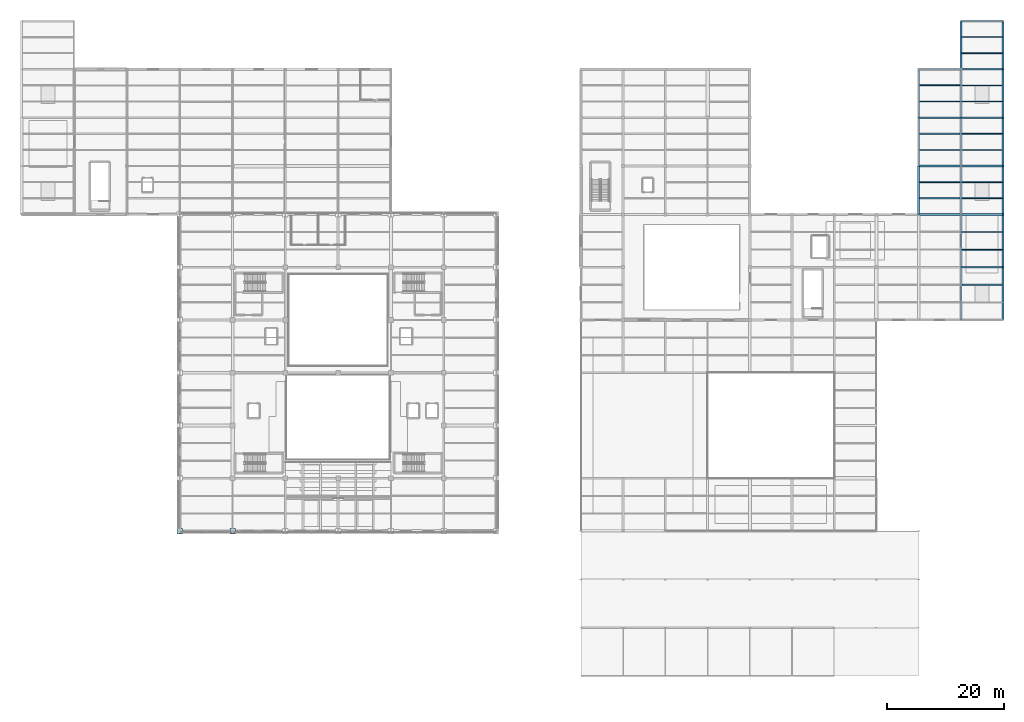
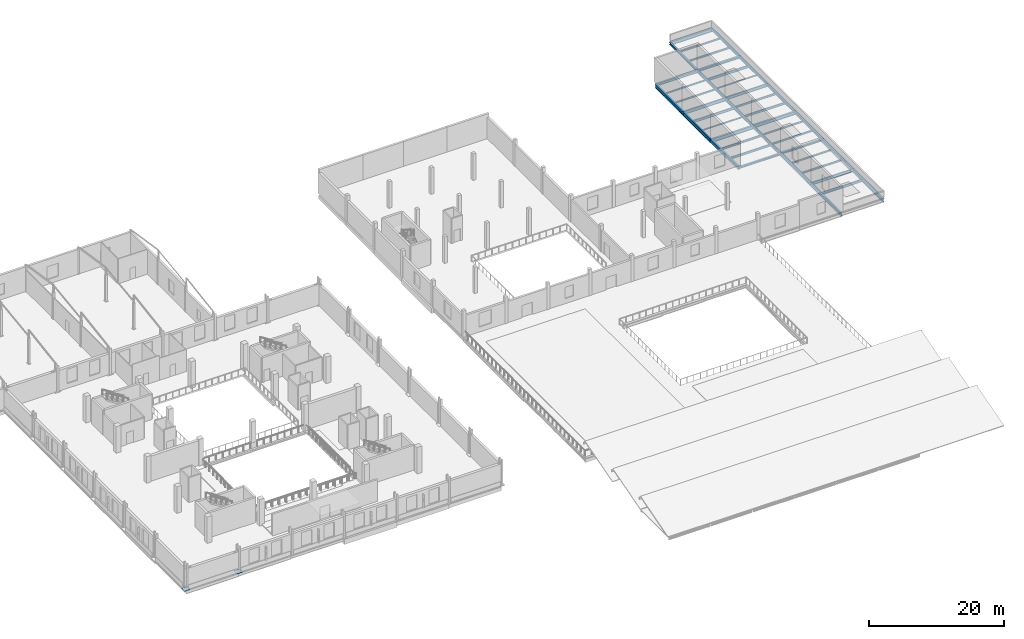
# One storey, part 20 of 54: 42 beams, 2 plates.
"""IFC4 building model written with IfcOpenShell, lengths in metres."""

from ifc_helpers import new_model, si_unit, direction, frame, origin, origin_2d, place, context, subcontext, project, spatial, rectangle, i_section, extrude, material, layer, layer_set, material_profile, profile_set, type_object, element, save


model = new_model("IFC4")

# Units and contexts
model_context = context("Model", 3, precision=1e-05, world=origin(), true_north=direction((0.0, 1.0)))
body_context = subcontext(model_context, "Body", "Model", "MODEL_VIEW")
ifc_project = project(units=[si_unit("LENGTHUNIT", "METRE"), si_unit("AREAUNIT", "SQUARE_METRE"), si_unit("VOLUMEUNIT", "CUBIC_METRE"), si_unit("PLANEANGLEUNIT", "RADIAN"), si_unit("MASSUNIT", "GRAM", prefix="KILO")], contexts=[model_context])

# Site, building, storey
site_placement = place(None, origin())
site = spatial("IfcSite", under=ifc_project, at=site_placement, CompositionType="ELEMENT")
building_placement = place(site_placement, origin())
building = spatial("IfcBuilding", under=site, at=building_placement, Name="Sundgate Opera House", CompositionType="ELEMENT")
storey_placement = place(building_placement, frame((0.0, 0.0, 16.800048828125)))
storey = spatial("IfcBuildingStorey", under=building, at=storey_placement, Name="L03", CompositionType="ELEMENT", Elevation=16.800048828125)

# Beams
ifc_material_1 = material(Name="Steel S355J2", Category="steel")
ifc_material_profile_1 = material_profile(ifc_material_1, i_section(OverallWidth=0.300048828125, OverallDepth=0.330078125, WebThickness=0.009521484375, FlangeThickness=0.0166015625, at=origin_2d()), Name="HEA 340")
ifc_profile_set_1 = profile_set([ifc_material_profile_1], Name="Steel S355J2")
beam_type_1 = type_object("IfcBeamType", Name="BM-GR-HEA340", PredefinedType="BEAM", material=ifc_profile_set_1)
beam_1_placement = place(storey_placement, frame((167.39990234375, 111.75, -0.39501953125), z_axis=(0.0, 1.0, 0.0), x_axis=(-1.0, 0.0, 0.0)))
element("IfcBeam", 1, at=beam_1_placement, inside=storey, type_object=beam_type_1, Name="L03 Primary N-S Girder B2578", PredefinedType="BEAM", context=body_context, shape_type="SweptSolid", body=[
    extrude(i_section(OverallWidth=0.300048828125, OverallDepth=0.330078125, WebThickness=0.009521484375, FlangeThickness=0.0166015625, at=origin_2d()), origin(), (0.0, 0.0, 1.0), 8.25),
])
beam_2_placement = place(storey_placement, frame((160.199951171875, 87.0, -0.39501953125), z_axis=(1.0, 0.0, 0.0), x_axis=(0.0, 1.0, 0.0)))
element("IfcBeam", 2, at=beam_2_placement, inside=storey, type_object=beam_type_1, Name="L03 Primary E-W Girder B2666", PredefinedType="BEAM", context=body_context, shape_type="SweptSolid", body=[
    extrude(i_section(OverallWidth=0.300048828125, OverallDepth=0.330078125, WebThickness=0.009521484375, FlangeThickness=0.0166015625, at=origin_2d()), origin(), (0.0, 0.0, 1.0), 7.199951171875),
])
ifc_material_2 = material(Name="Steel S355J2", Category="steel")
ifc_material_profile_2 = material_profile(ifc_material_2, i_section(OverallWidth=0.300048828125, OverallDepth=0.35009765625, WebThickness=0.010009765625, FlangeThickness=0.017578125, at=origin_2d()), Name="HEA 360")
ifc_profile_set_2 = profile_set([ifc_material_profile_2], Name="Steel S355J2")
beam_type_2 = type_object("IfcBeamType", Name="BM-GR-HEA360", PredefinedType="BEAM", material=ifc_profile_set_2)
beam_3_placement = place(storey_placement, frame((167.39990234375, 103.5, -0.405029296875), z_axis=(0.0, 1.0, 0.0), x_axis=(-1.0, 0.0, 0.0)))
element("IfcBeam", 3, at=beam_3_placement, inside=storey, type_object=beam_type_2, Name="L03 Primary N-S Girder B2577", PredefinedType="BEAM", context=body_context, shape_type="SweptSolid", body=[
    extrude(i_section(OverallWidth=0.300048828125, OverallDepth=0.35009765625, WebThickness=0.010009765625, FlangeThickness=0.017578125, at=origin_2d()), origin(), (0.0, 0.0, 1.0), 8.25),
])
beam_4_placement = place(storey_placement, frame((153.0, 87.0, -0.455078125), z_axis=(1.0, 0.0, 0.0), x_axis=(0.0, 1.0, 0.0)))
element("IfcBeam", 4, at=beam_4_placement, inside=storey, type_object=beam_type_2, Name="L03 Primary E-W Girder B2665", PredefinedType="BEAM", context=body_context, shape_type="SweptSolid", body=[
    extrude(i_section(OverallWidth=0.300048828125, OverallDepth=0.35009765625, WebThickness=0.010009765625, FlangeThickness=0.017578125, at=origin_2d()), origin(), (0.0, 0.0, 1.0), 7.199951171875),
])
ifc_material_3 = material(Name="Steel S355J2", Category="steel")
ifc_material_profile_3 = material_profile(ifc_material_3, i_section(OverallWidth=0.300048828125, OverallDepth=0.389892578125, WebThickness=0.010986328125, FlangeThickness=0.01904296875, at=origin_2d()), Name="HEA 400")
ifc_profile_set_3 = profile_set([ifc_material_profile_3], Name="Steel S355J2")
beam_type_3 = type_object("IfcBeamType", Name="BM-GR-HEA400", PredefinedType="BEAM", material=ifc_profile_set_3)
beam_5_placement = place(storey_placement, frame((167.39990234375, 95.25, -0.425048828125), z_axis=(0.0, 1.0, 0.0), x_axis=(-1.0, 0.0, 0.0)))
element("IfcBeam", 5, at=beam_5_placement, inside=storey, type_object=beam_type_3, Name="L03 Primary N-S Girder B2576", PredefinedType="BEAM", context=body_context, shape_type="SweptSolid", body=[
    extrude(i_section(OverallWidth=0.300048828125, OverallDepth=0.389892578125, WebThickness=0.010986328125, FlangeThickness=0.01904296875, at=origin_2d()), origin(), (0.0, 0.0, 1.0), 8.25),
])
ifc_material_4 = material(Name="Steel S355J2", Category="steel")
ifc_material_profile_4 = material_profile(ifc_material_4, i_section(OverallWidth=0.300048828125, OverallDepth=0.43994140625, WebThickness=0.011474609375, FlangeThickness=0.02099609375, at=origin_2d()), Name="HEA 450")
ifc_profile_set_4 = profile_set([ifc_material_profile_4], Name="Steel S355J2")
beam_type_4 = type_object("IfcBeamType", Name="BM-GR-HEA450", PredefinedType="BEAM", material=ifc_profile_set_4)
beam_6_placement = place(storey_placement, frame((167.39990234375, 87.0, -0.449951171875), z_axis=(0.0, 1.0, 0.0), x_axis=(-1.0, 0.0, 0.0)))
element("IfcBeam", 6, at=beam_6_placement, inside=storey, type_object=beam_type_4, Name="L03 Primary N-S Girder B2575", PredefinedType="BEAM", context=body_context, shape_type="SweptSolid", body=[
    extrude(i_section(OverallWidth=0.300048828125, OverallDepth=0.43994140625, WebThickness=0.011474609375, FlangeThickness=0.02099609375, at=origin_2d()), origin(), (0.0, 0.0, 1.0), 8.25),
])
ifc_material_5 = material(Name="Steel S355J2", Category="steel")
ifc_material_profile_5 = material_profile(ifc_material_5, i_section(OverallWidth=0.300048828125, OverallDepth=0.489990234375, WebThickness=0.011962890625, FlangeThickness=0.02294921875, at=origin_2d()), Name="HEA 500")
ifc_profile_set_5 = profile_set([ifc_material_profile_5], Name="Steel S355J2")
beam_type_5 = type_object("IfcBeamType", Name="BM-GR-HEA500", PredefinedType="BEAM", material=ifc_profile_set_5)
beam_7_placement = place(storey_placement, frame((167.39990234375, 78.0, -0.47509765625), z_axis=(0.0, 1.0, 0.0), x_axis=(-1.0, 0.0, 0.0)))
element("IfcBeam", 7, at=beam_7_placement, inside=storey, type_object=beam_type_5, Name="L03 Primary N-S Girder B2574", PredefinedType="BEAM", context=body_context, shape_type="SweptSolid", body=[
    extrude(i_section(OverallWidth=0.300048828125, OverallDepth=0.489990234375, WebThickness=0.011962890625, FlangeThickness=0.02294921875, at=origin_2d()), origin(), (0.0, 0.0, 1.0), 9.0),
])
ifc_material_6 = material(Name="Steel S355J2", Category="steel")
ifc_material_profile_6 = material_profile(ifc_material_6, i_section(OverallWidth=0.300048828125, OverallDepth=0.590087890625, WebThickness=0.012939453125, FlangeThickness=0.02490234375, at=origin_2d()), Name="HEA 600")
ifc_profile_set_6 = profile_set([ifc_material_profile_6], Name="Steel S355J2")
beam_type_6 = type_object("IfcBeamType", Name="BM-GR-HEA600", PredefinedType="BEAM", material=ifc_profile_set_6)
beam_8_placement = place(storey_placement, frame((167.39990234375, 69.0, -0.525146484375), z_axis=(0.0, 1.0, 0.0), x_axis=(-1.0, 0.0, 0.0)))
element("IfcBeam", 8, at=beam_8_placement, inside=storey, type_object=beam_type_6, Name="L03 Primary N-S Girder B2573", PredefinedType="BEAM", context=body_context, shape_type="SweptSolid", body=[
    extrude(i_section(OverallWidth=0.300048828125, OverallDepth=0.590087890625, WebThickness=0.012939453125, FlangeThickness=0.02490234375, at=origin_2d()), origin(), (0.0, 0.0, 1.0), 9.0),
])
beam_9_placement = place(storey_placement, frame((160.199951171875, 120.0, -0.525146484375), z_axis=(1.0, 0.0, 0.0), x_axis=(0.0, 1.0, 0.0)))
element("IfcBeam", 9, at=beam_9_placement, inside=storey, type_object=beam_type_6, Name="L03 Primary E-W Girder B2705", PredefinedType="BEAM", context=body_context, shape_type="SweptSolid", body=[
    extrude(i_section(OverallWidth=0.300048828125, OverallDepth=0.590087890625, WebThickness=0.012939453125, FlangeThickness=0.02490234375, at=origin_2d()), origin(), (0.0, 0.0, 1.0), 7.199951171875),
])
ifc_material_7 = material(Name="Steel S355J2", Category="steel")
ifc_material_profile_7 = material_profile(ifc_material_7, i_section(OverallWidth=0.300048828125, OverallDepth=0.360107421875, WebThickness=0.012451171875, FlangeThickness=0.0224609375, at=origin_2d()), Name="HEB 360")
ifc_profile_set_7 = profile_set([ifc_material_profile_7], Name="Steel S355J2")
beam_type_7 = type_object("IfcBeamType", Name="BM-GR-HEB360", PredefinedType="BEAM", material=ifc_profile_set_7)
beam_10_placement = place(storey_placement, frame((160.199951171875, 111.75, -0.41015625), z_axis=(0.0, 1.0, 0.0), x_axis=(-1.0, 0.0, 0.0)))
element("IfcBeam", 10, at=beam_10_placement, inside=storey, type_object=beam_type_7, Name="L03 Primary N-S Girder B2572", PredefinedType="BEAM", context=body_context, shape_type="SweptSolid", body=[
    extrude(i_section(OverallWidth=0.300048828125, OverallDepth=0.360107421875, WebThickness=0.012451171875, FlangeThickness=0.0224609375, at=origin_2d()), origin(), (0.0, 0.0, 1.0), 8.25),
])
ifc_material_8 = material(Name="Steel S355J2", Category="steel")
ifc_material_profile_8 = material_profile(ifc_material_8, i_section(OverallWidth=0.300048828125, OverallDepth=0.39990234375, WebThickness=0.013427734375, FlangeThickness=0.02392578125, at=origin_2d()), Name="HEB 400")
ifc_profile_set_8 = profile_set([ifc_material_profile_8], Name="Steel S355J2")
beam_type_8 = type_object("IfcBeamType", Name="BM-GR-HEB400", PredefinedType="BEAM", material=ifc_profile_set_8)
beam_11_placement = place(storey_placement, frame((160.199951171875, 103.5, -0.47998046875), z_axis=(0.0, 1.0, 0.0), x_axis=(-1.0, 0.0, 0.0)))
element("IfcBeam", 11, at=beam_11_placement, inside=storey, type_object=beam_type_8, Name="L03 Primary N-S Girder B2571", PredefinedType="BEAM", context=body_context, shape_type="SweptSolid", body=[
    extrude(i_section(OverallWidth=0.300048828125, OverallDepth=0.39990234375, WebThickness=0.013427734375, FlangeThickness=0.02392578125, at=origin_2d()), origin(), (0.0, 0.0, 1.0), 8.25),
])
beam_12_placement = place(storey_placement, frame((160.199951171875, 111.75, -0.429931640625), z_axis=(1.0, 0.0, 0.0), x_axis=(0.0, 1.0, 0.0)))
element("IfcBeam", 12, at=beam_12_placement, inside=storey, type_object=beam_type_8, Name="L03 Primary E-W Girder B2703", PredefinedType="BEAM", context=body_context, shape_type="SweptSolid", body=[
    extrude(i_section(OverallWidth=0.300048828125, OverallDepth=0.39990234375, WebThickness=0.013427734375, FlangeThickness=0.02392578125, at=origin_2d()), origin(), (0.0, 0.0, 1.0), 7.199951171875),
])
ifc_material_9 = material(Name="Steel S355J2", Category="steel")
ifc_material_profile_9 = material_profile(ifc_material_9, i_section(OverallWidth=0.300048828125, OverallDepth=0.449951171875, WebThickness=0.013916015625, FlangeThickness=0.02587890625, at=origin_2d()), Name="HEB 450")
ifc_profile_set_9 = profile_set([ifc_material_profile_9], Name="Steel S355J2")
beam_type_9 = type_object("IfcBeamType", Name="BM-GR-HEB450", PredefinedType="BEAM", material=ifc_profile_set_9)
beam_13_placement = place(storey_placement, frame((160.199951171875, 95.25, -0.505126953125), z_axis=(0.0, 1.0, 0.0), x_axis=(-1.0, 0.0, 0.0)))
element("IfcBeam", 13, at=beam_13_placement, inside=storey, type_object=beam_type_9, Name="L03 Primary N-S Girder B2570", PredefinedType="BEAM", context=body_context, shape_type="SweptSolid", body=[
    extrude(i_section(OverallWidth=0.300048828125, OverallDepth=0.449951171875, WebThickness=0.013916015625, FlangeThickness=0.02587890625, at=origin_2d()), origin(), (0.0, 0.0, 1.0), 8.25),
])
beam_14_placement = place(storey_placement, frame((153.0, 111.75, -0.505126953125), z_axis=(1.0, 0.0, 0.0), x_axis=(0.0, 1.0, 0.0)))
element("IfcBeam", 14, at=beam_14_placement, inside=storey, type_object=beam_type_9, Name="L03 Primary E-W Girder B2702", PredefinedType="BEAM", context=body_context, shape_type="SweptSolid", body=[
    extrude(i_section(OverallWidth=0.300048828125, OverallDepth=0.449951171875, WebThickness=0.013916015625, FlangeThickness=0.02587890625, at=origin_2d()), origin(), (0.0, 0.0, 1.0), 7.199951171875),
])
ifc_material_10 = material(Name="Steel S355J2", Category="steel")
ifc_material_profile_10 = material_profile(ifc_material_10, i_section(OverallWidth=0.300048828125, OverallDepth=0.5, WebThickness=0.014404296875, FlangeThickness=0.028076171875, at=origin_2d()), Name="HEB 500")
ifc_profile_set_10 = profile_set([ifc_material_profile_10], Name="Steel S355J2")
beam_type_10 = type_object("IfcBeamType", Name="BM-GR-HEB500", PredefinedType="BEAM", material=ifc_profile_set_10)
beam_15_placement = place(storey_placement, frame((160.199951171875, 87.0, -0.530029296875), z_axis=(0.0, 1.0, 0.0), x_axis=(-1.0, 0.0, 0.0)))
element("IfcBeam", 15, at=beam_15_placement, inside=storey, type_object=beam_type_10, Name="L03 Primary N-S Girder B2569", PredefinedType="BEAM", context=body_context, shape_type="SweptSolid", body=[
    extrude(i_section(OverallWidth=0.300048828125, OverallDepth=0.5, WebThickness=0.014404296875, FlangeThickness=0.028076171875, at=origin_2d()), origin(), (0.0, 0.0, 1.0), 8.25),
])
ifc_material_11 = material(Name="Steel S355J2", Category="steel")
ifc_material_profile_11 = material_profile(ifc_material_11, i_section(OverallWidth=0.300048828125, OverallDepth=0.550048828125, WebThickness=0.014892578125, FlangeThickness=0.029052734375, at=origin_2d()), Name="HEB 550")
ifc_profile_set_11 = profile_set([ifc_material_profile_11], Name="Steel S355J2")
beam_type_11 = type_object("IfcBeamType", Name="BM-GR-HEB550", PredefinedType="BEAM", material=ifc_profile_set_11)
beam_16_placement = place(storey_placement, frame((160.199951171875, 78.0, -0.554931640625), z_axis=(0.0, 1.0, 0.0), x_axis=(-1.0, 0.0, 0.0)))
element("IfcBeam", 16, at=beam_16_placement, inside=storey, type_object=beam_type_11, Name="L03 Primary N-S Girder B2568", PredefinedType="BEAM", context=body_context, shape_type="SweptSolid", body=[
    extrude(i_section(OverallWidth=0.300048828125, OverallDepth=0.550048828125, WebThickness=0.014892578125, FlangeThickness=0.029052734375, at=origin_2d()), origin(), (0.0, 0.0, 1.0), 9.0),
])
ifc_material_12 = material(Name="Steel S355J2", Category="steel")
ifc_material_profile_12 = material_profile(ifc_material_12, i_section(OverallWidth=0.300048828125, OverallDepth=0.60009765625, WebThickness=0.015380859375, FlangeThickness=0.030029296875, at=origin_2d()), Name="HEB 600")
ifc_profile_set_12 = profile_set([ifc_material_profile_12], Name="Steel S355J2")
beam_type_12 = type_object("IfcBeamType", Name="BM-GR-HEB600", PredefinedType="BEAM", material=ifc_profile_set_12)
beam_17_placement = place(storey_placement, frame((160.199951171875, 69.0, -0.580078125), z_axis=(0.0, 1.0, 0.0), x_axis=(-1.0, 0.0, 0.0)))
element("IfcBeam", 17, at=beam_17_placement, inside=storey, type_object=beam_type_12, Name="L03 Primary N-S Girder B2567", PredefinedType="BEAM", context=body_context, shape_type="SweptSolid", body=[
    extrude(i_section(OverallWidth=0.300048828125, OverallDepth=0.60009765625, WebThickness=0.015380859375, FlangeThickness=0.030029296875, at=origin_2d()), origin(), (0.0, 0.0, 1.0), 9.0),
])
beam_18_placement = place(storey_placement, frame((160.199951171875, 95.25, -0.530029296875), z_axis=(1.0, 0.0, 0.0), x_axis=(0.0, 1.0, 0.0)))
element("IfcBeam", 18, at=beam_18_placement, inside=storey, type_object=beam_type_12, Name="L03 Primary E-W Girder B2677", PredefinedType="BEAM", context=body_context, shape_type="SweptSolid", body=[
    extrude(i_section(OverallWidth=0.300048828125, OverallDepth=0.60009765625, WebThickness=0.015380859375, FlangeThickness=0.030029296875, at=origin_2d()), origin(), (0.0, 0.0, 1.0), 7.199951171875),
])
ifc_material_13 = material(Name="Steel S355J2", Category="steel")
ifc_material_profile_13 = material_profile(ifc_material_13, i_section(OverallWidth=0.300048828125, OverallDepth=0.64990234375, WebThickness=0.01611328125, FlangeThickness=0.031005859375, at=origin_2d()), Name="HEB 650")
ifc_profile_set_13 = profile_set([ifc_material_profile_13], Name="Steel S355J2")
beam_type_13 = type_object("IfcBeamType", Name="BM-GR-HEB650", PredefinedType="BEAM", material=ifc_profile_set_13)
beam_19_placement = place(storey_placement, frame((153.0, 103.5, -0.60498046875), z_axis=(0.0, 1.0, 0.0), x_axis=(-1.0, 0.0, 0.0)))
element("IfcBeam", 19, at=beam_19_placement, inside=storey, type_object=beam_type_13, Name="L03 Primary N-S Girder B2566", PredefinedType="BEAM", context=body_context, shape_type="SweptSolid", body=[
    extrude(i_section(OverallWidth=0.300048828125, OverallDepth=0.64990234375, WebThickness=0.01611328125, FlangeThickness=0.031005859375, at=origin_2d()), origin(), (0.0, 0.0, 1.0), 8.25),
])
beam_20_placement = place(storey_placement, frame((153.0, 95.25, -0.60498046875), z_axis=(1.0, 0.0, 0.0), x_axis=(0.0, 1.0, 0.0)))
element("IfcBeam", 20, at=beam_20_placement, inside=storey, type_object=beam_type_13, Name="L03 Primary E-W Girder B2676", PredefinedType="BEAM", context=body_context, shape_type="SweptSolid", body=[
    extrude(i_section(OverallWidth=0.300048828125, OverallDepth=0.64990234375, WebThickness=0.01611328125, FlangeThickness=0.031005859375, at=origin_2d()), origin(), (0.0, 0.0, 1.0), 7.199951171875),
])
ifc_material_14 = material(Name="Steel S355J2", Category="steel")
ifc_material_profile_14 = material_profile(ifc_material_14, i_section(OverallWidth=0.300048828125, OverallDepth=0.699951171875, WebThickness=0.01708984375, FlangeThickness=0.031982421875, at=origin_2d()), Name="HEB 700")
ifc_profile_set_14 = profile_set([ifc_material_profile_14], Name="Steel S355J2")
beam_type_14 = type_object("IfcBeamType", Name="BM-GR-HEB700", PredefinedType="BEAM", material=ifc_profile_set_14)
beam_21_placement = place(storey_placement, frame((153.0, 95.25, -0.630126953125), z_axis=(0.0, 1.0, 0.0), x_axis=(-1.0, 0.0, 0.0)))
element("IfcBeam", 21, at=beam_21_placement, inside=storey, type_object=beam_type_14, Name="L03 Primary N-S Girder B2565", PredefinedType="BEAM", context=body_context, shape_type="SweptSolid", body=[
    extrude(i_section(OverallWidth=0.300048828125, OverallDepth=0.699951171875, WebThickness=0.01708984375, FlangeThickness=0.031982421875, at=origin_2d()), origin(), (0.0, 0.0, 1.0), 8.25),
])
ifc_material_15 = material(Name="Steel S355J2", Category="steel")
ifc_material_profile_15 = material_profile(ifc_material_15, i_section(OverallWidth=0.199951171875, OverallDepth=0.5, WebThickness=0.01025390625, FlangeThickness=0.01611328125, at=origin_2d()), Name="IPE 500")
ifc_profile_set_15 = profile_set([ifc_material_profile_15], Name="Steel S355J2")
beam_type_15 = type_object("IfcBeamType", Name="BM-GR-IPE500", PredefinedType="BEAM", material=ifc_profile_set_15)
beam_22_placement = place(storey_placement, frame((160.199951171875, 78.0, -0.47998046875), z_axis=(1.0, 0.0, 0.0), x_axis=(0.0, 1.0, 0.0)))
element("IfcBeam", 22, at=beam_22_placement, inside=storey, type_object=beam_type_15, Name="L03 Primary E-W Girder B2647", PredefinedType="BEAM", context=body_context, shape_type="SweptSolid", body=[
    extrude(i_section(OverallWidth=0.199951171875, OverallDepth=0.5, WebThickness=0.01025390625, FlangeThickness=0.01611328125, at=origin_2d()), origin(), (0.0, 0.0, 1.0), 7.199951171875),
])
ifc_material_16 = material(Name="Steel S355J2", Category="steel")
ifc_material_profile_16 = material_profile(ifc_material_16, i_section(OverallWidth=0.2099609375, OverallDepth=0.550048828125, WebThickness=0.010986328125, FlangeThickness=0.01708984375, at=origin_2d()), Name="IPE 550")
ifc_profile_set_16 = profile_set([ifc_material_profile_16], Name="Steel S355J2")
beam_type_16 = type_object("IfcBeamType", Name="BM-GR-IPE550", PredefinedType="BEAM", material=ifc_profile_set_16)
beam_23_placement = place(storey_placement, frame((160.199951171875, 103.5, -0.505126953125), z_axis=(1.0, 0.0, 0.0), x_axis=(0.0, 1.0, 0.0)))
element("IfcBeam", 23, at=beam_23_placement, inside=storey, type_object=beam_type_16, Name="L03 Primary E-W Girder B2690", PredefinedType="BEAM", context=body_context, shape_type="SweptSolid", body=[
    extrude(i_section(OverallWidth=0.2099609375, OverallDepth=0.550048828125, WebThickness=0.010986328125, FlangeThickness=0.01708984375, at=origin_2d()), origin(), (0.0, 0.0, 1.0), 7.199951171875),
])
ifc_material_17 = material(Name="Steel S355J2", Category="steel")
ifc_material_profile_17 = material_profile(ifc_material_17, i_section(OverallWidth=0.219970703125, OverallDepth=0.60009765625, WebThickness=0.011962890625, FlangeThickness=0.01904296875, at=origin_2d()), Name="IPE 600")
ifc_profile_set_17 = profile_set([ifc_material_profile_17], Name="Steel S355J2")
beam_type_17 = type_object("IfcBeamType", Name="BM-GR-IPE600", PredefinedType="BEAM", material=ifc_profile_set_17)
beam_24_placement = place(storey_placement, frame((153.0, 103.5, -0.580078125), z_axis=(1.0, 0.0, 0.0), x_axis=(0.0, 1.0, 0.0)))
element("IfcBeam", 24, at=beam_24_placement, inside=storey, type_object=beam_type_17, Name="L03 Primary E-W Girder B2689", PredefinedType="BEAM", context=body_context, shape_type="SweptSolid", body=[
    extrude(i_section(OverallWidth=0.219970703125, OverallDepth=0.60009765625, WebThickness=0.011962890625, FlangeThickness=0.01904296875, at=origin_2d()), origin(), (0.0, 0.0, 1.0), 7.199951171875),
])
ifc_material_18 = material(Name="Steel S355J2", Category="steel")
ifc_material_profile_18 = material_profile(ifc_material_18, i_section(OverallWidth=0.1201171875, OverallDepth=0.239990234375, WebThickness=0.006103515625, FlangeThickness=0.009765625, at=origin_2d()), Name="IPE 240")
ifc_profile_set_18 = profile_set([ifc_material_profile_18], Name="Steel S355J2")
beam_type_18 = type_object("IfcBeamType", Name="BM-JS-IPE240", PredefinedType="JOIST", material=ifc_profile_set_18)
beam_25_placement = place(storey_placement, frame((153.14990234375, 98.0, -0.400146484375), z_axis=(1.0, 0.0, 0.0), x_axis=(0.0, 1.0, 0.0)))
element("IfcBeam", 25, at=beam_25_placement, inside=storey, type_object=beam_type_18, Name="L03 Secondary Floor Joist B2852", PredefinedType="JOIST", context=body_context, shape_type="SweptSolid", body=[
    extrude(i_section(OverallWidth=0.1201171875, OverallDepth=0.239990234375, WebThickness=0.006103515625, FlangeThickness=0.009765625, at=origin_2d()), origin(), (0.0, 0.0, 1.0), 6.900146484375),
])
beam_26_placement = place(storey_placement, frame((160.35009765625, 106.25, -0.35009765625), z_axis=(1.0, 0.0, 0.0), x_axis=(0.0, 1.0, 0.0)))
element("IfcBeam", 26, at=beam_26_placement, inside=storey, type_object=beam_type_18, Name="L03 Secondary Floor Joist B2880", PredefinedType="JOIST", context=body_context, shape_type="SweptSolid", body=[
    extrude(i_section(OverallWidth=0.1201171875, OverallDepth=0.239990234375, WebThickness=0.006103515625, FlangeThickness=0.009765625, at=origin_2d()), origin(), (0.0, 0.0, 1.0), 6.89990234375),
])
ifc_material_19 = material(Name="Steel S355J2", Category="steel")
ifc_material_profile_19 = material_profile(ifc_material_19, i_section(OverallWidth=0.135009765625, OverallDepth=0.27001953125, WebThickness=0.006591796875, FlangeThickness=0.01025390625, at=origin_2d()), Name="IPE 270")
ifc_profile_set_19 = profile_set([ifc_material_profile_19], Name="Steel S355J2")
beam_type_19 = type_object("IfcBeamType", Name="BM-JS-IPE270", PredefinedType="JOIST", material=ifc_profile_set_19)
beam_27_placement = place(storey_placement, frame((153.14990234375, 109.0, -0.4150390625), z_axis=(1.0, 0.0, 0.0), x_axis=(0.0, 1.0, 0.0)))
element("IfcBeam", 27, at=beam_27_placement, inside=storey, type_object=beam_type_19, Name="L03 Secondary Floor Joist B2879", PredefinedType="JOIST", context=body_context, shape_type="SweptSolid", body=[
    extrude(i_section(OverallWidth=0.135009765625, OverallDepth=0.27001953125, WebThickness=0.006591796875, FlangeThickness=0.01025390625, at=origin_2d()), origin(), (0.0, 0.0, 1.0), 6.900146484375),
])
ifc_material_20 = material(Name="Steel S355J2", Category="steel")
ifc_material_profile_20 = material_profile(ifc_material_20, i_section(OverallWidth=0.14990234375, OverallDepth=0.300048828125, WebThickness=0.007080078125, FlangeThickness=0.0107421875, at=origin_2d()), Name="IPE 300")
ifc_profile_set_20 = profile_set([ifc_material_profile_20], Name="Steel S355J2")
beam_type_20 = type_object("IfcBeamType", Name="BM-JS-IPE300", PredefinedType="JOIST", material=ifc_profile_set_20)
for number, where, z_axis, x_axis, name in (
    (28, (160.35009765625, 84.0, -0.380126953125), (1.0, 0.0, 0.0), (0.0, 1.0, 0.0), "L03 Secondary Floor Joist B2808"),
    (29, (160.35009765625, 92.5, -0.380126953125), (1.0, 0.0, 0.0), (0.0, 1.0, 0.0), "L03 Secondary Floor Joist B2829"),
):
    element("IfcBeam", number, at=place(storey_placement, frame(where, z_axis=z_axis, x_axis=x_axis)), inside=storey, type_object=beam_type_20, Name=name, PredefinedType="JOIST", context=body_context, shape_type="SweptSolid", body=[
        extrude(i_section(OverallWidth=0.14990234375, OverallDepth=0.300048828125, WebThickness=0.007080078125, FlangeThickness=0.0107421875, at=origin_2d()), origin(), (0.0, 0.0, 1.0), 6.89990234375),
    ])
beam_28_placement = place(storey_placement, frame((153.14990234375, 106.25, -0.429931640625), z_axis=(1.0, 0.0, 0.0), x_axis=(0.0, 1.0, 0.0)))
element("IfcBeam", 30, at=beam_28_placement, inside=storey, type_object=beam_type_20, Name="L03 Secondary Floor Joist B2878", PredefinedType="JOIST", context=body_context, shape_type="SweptSolid", body=[
    extrude(i_section(OverallWidth=0.14990234375, OverallDepth=0.300048828125, WebThickness=0.007080078125, FlangeThickness=0.0107421875, at=origin_2d()), origin(), (0.0, 0.0, 1.0), 6.900146484375),
])
beam_29_placement = place(storey_placement, frame((160.35009765625, 117.25, -0.380126953125), z_axis=(1.0, 0.0, 0.0), x_axis=(0.0, 1.0, 0.0)))
element("IfcBeam", 31, at=beam_29_placement, inside=storey, type_object=beam_type_20, Name="L03 Secondary Floor Joist B2885", PredefinedType="JOIST", context=body_context, shape_type="SweptSolid", body=[
    extrude(i_section(OverallWidth=0.14990234375, OverallDepth=0.300048828125, WebThickness=0.007080078125, FlangeThickness=0.0107421875, at=origin_2d()), origin(), (0.0, 0.0, 1.0), 6.89990234375),
])
ifc_material_21 = material(Name="Steel S355J2", Category="steel")
ifc_material_profile_21 = material_profile(ifc_material_21, i_section(OverallWidth=0.159912109375, OverallDepth=0.330078125, WebThickness=0.007568359375, FlangeThickness=0.011474609375, at=origin_2d()), Name="IPE 330")
ifc_profile_set_21 = profile_set([ifc_material_profile_21], Name="Steel S355J2")
beam_type_21 = type_object("IfcBeamType", Name="BM-JS-IPE330", PredefinedType="JOIST", material=ifc_profile_set_21)
for number, where, z_axis, x_axis, name in (
    (32, (160.35009765625, 81.0, -0.39501953125), (1.0, 0.0, 0.0), (0.0, 1.0, 0.0), "L03 Secondary Floor Joist B2807"),
    (33, (160.35009765625, 89.75, -0.39501953125), (1.0, 0.0, 0.0), (0.0, 1.0, 0.0), "L03 Secondary Floor Joist B2828"),
    (34, (160.35009765625, 114.5, -0.39501953125), (1.0, 0.0, 0.0), (0.0, 1.0, 0.0), "L03 Secondary Floor Joist B2884"),
):
    element("IfcBeam", number, at=place(storey_placement, frame(where, z_axis=z_axis, x_axis=x_axis)), inside=storey, type_object=beam_type_21, Name=name, PredefinedType="JOIST", context=body_context, shape_type="SweptSolid", body=[
        extrude(i_section(OverallWidth=0.159912109375, OverallDepth=0.330078125, WebThickness=0.007568359375, FlangeThickness=0.011474609375, at=origin_2d()), origin(), (0.0, 0.0, 1.0), 6.89990234375),
    ])
ifc_material_22 = material(Name="Steel S355J2", Category="steel")
ifc_material_profile_22 = material_profile(ifc_material_22, i_section(OverallWidth=0.169921875, OverallDepth=0.360107421875, WebThickness=0.008056640625, FlangeThickness=0.0126953125, at=origin_2d()), Name="IPE 360")
ifc_profile_set_22 = profile_set([ifc_material_profile_22], Name="Steel S355J2")
beam_type_22 = type_object("IfcBeamType", Name="BM-JS-IPE360", PredefinedType="JOIST", material=ifc_profile_set_22)
beam_30_placement = place(storey_placement, frame((153.175048828125, 92.5, -0.4599609375), z_axis=(1.0, 0.0, 0.0), x_axis=(0.0, 1.0, 0.0)))
element("IfcBeam", 35, at=beam_30_placement, inside=storey, type_object=beam_type_22, Name="L03 Secondary Floor Joist B2827", PredefinedType="JOIST", context=body_context, shape_type="SweptSolid", body=[
    extrude(i_section(OverallWidth=0.169921875, OverallDepth=0.360107421875, WebThickness=0.008056640625, FlangeThickness=0.0126953125, at=origin_2d()), origin(), (0.0, 0.0, 1.0), 6.875),
])
beam_31_placement = place(storey_placement, frame((160.35009765625, 100.75, -0.41015625), z_axis=(1.0, 0.0, 0.0), x_axis=(0.0, 1.0, 0.0)))
element("IfcBeam", 36, at=beam_31_placement, inside=storey, type_object=beam_type_22, Name="L03 Secondary Floor Joist B2855", PredefinedType="JOIST", context=body_context, shape_type="SweptSolid", body=[
    extrude(i_section(OverallWidth=0.169921875, OverallDepth=0.360107421875, WebThickness=0.008056640625, FlangeThickness=0.0126953125, at=origin_2d()), origin(), (0.0, 0.0, 1.0), 6.89990234375),
])
ifc_material_23 = material(Name="Steel S355J2", Category="steel")
ifc_material_profile_23 = material_profile(ifc_material_23, i_section(OverallWidth=0.179931640625, OverallDepth=0.39990234375, WebThickness=0.008544921875, FlangeThickness=0.013427734375, at=origin_2d()), Name="IPE 400")
ifc_profile_set_23 = profile_set([ifc_material_profile_23], Name="Steel S355J2")
beam_type_23 = type_object("IfcBeamType", Name="BM-JS-IPE400", PredefinedType="JOIST", material=ifc_profile_set_23)
beam_32_placement = place(storey_placement, frame((153.175048828125, 89.75, -0.47998046875), z_axis=(1.0, 0.0, 0.0), x_axis=(0.0, 1.0, 0.0)))
element("IfcBeam", 37, at=beam_32_placement, inside=storey, type_object=beam_type_23, Name="L03 Secondary Floor Joist B2826", PredefinedType="JOIST", context=body_context, shape_type="SweptSolid", body=[
    extrude(i_section(OverallWidth=0.179931640625, OverallDepth=0.39990234375, WebThickness=0.008544921875, FlangeThickness=0.013427734375, at=origin_2d()), origin(), (0.0, 0.0, 1.0), 6.875),
])
beam_33_placement = place(storey_placement, frame((160.35009765625, 98.0, -0.429931640625), z_axis=(1.0, 0.0, 0.0), x_axis=(0.0, 1.0, 0.0)))
element("IfcBeam", 38, at=beam_33_placement, inside=storey, type_object=beam_type_23, Name="L03 Secondary Floor Joist B2854", PredefinedType="JOIST", context=body_context, shape_type="SweptSolid", body=[
    extrude(i_section(OverallWidth=0.179931640625, OverallDepth=0.39990234375, WebThickness=0.008544921875, FlangeThickness=0.013427734375, at=origin_2d()), origin(), (0.0, 0.0, 1.0), 6.89990234375),
])
ifc_material_24 = material(Name="Steel S355J2", Category="steel")
ifc_material_profile_24 = material_profile(ifc_material_24, i_section(OverallWidth=0.18994140625, OverallDepth=0.449951171875, WebThickness=0.009521484375, FlangeThickness=0.0146484375, at=origin_2d()), Name="IPE 450")
ifc_profile_set_24 = profile_set([ifc_material_profile_24], Name="Steel S355J2")
beam_type_24 = type_object("IfcBeamType", Name="BM-JS-IPE450", PredefinedType="JOIST", material=ifc_profile_set_24)
beam_34_placement = place(storey_placement, frame((160.35009765625, 75.0, -0.455078125), z_axis=(1.0, 0.0, 0.0), x_axis=(0.0, 1.0, 0.0)))
element("IfcBeam", 39, at=beam_34_placement, inside=storey, type_object=beam_type_24, Name="L03 Secondary Floor Joist B2783", PredefinedType="JOIST", context=body_context, shape_type="SweptSolid", body=[
    extrude(i_section(OverallWidth=0.18994140625, OverallDepth=0.449951171875, WebThickness=0.009521484375, FlangeThickness=0.0146484375, at=origin_2d()), origin(), (0.0, 0.0, 1.0), 6.89990234375),
])
beam_35_placement = place(storey_placement, frame((153.14990234375, 100.75, -0.505126953125), z_axis=(1.0, 0.0, 0.0), x_axis=(0.0, 1.0, 0.0)))
element("IfcBeam", 40, at=beam_35_placement, inside=storey, type_object=beam_type_24, Name="L03 Secondary Floor Joist B2853", PredefinedType="JOIST", context=body_context, shape_type="SweptSolid", body=[
    extrude(i_section(OverallWidth=0.18994140625, OverallDepth=0.449951171875, WebThickness=0.009521484375, FlangeThickness=0.0146484375, at=origin_2d()), origin(), (0.0, 0.0, 1.0), 6.900146484375),
])
beam_36_placement = place(storey_placement, frame((160.35009765625, 109.0, -0.455078125), z_axis=(1.0, 0.0, 0.0), x_axis=(0.0, 1.0, 0.0)))
element("IfcBeam", 41, at=beam_36_placement, inside=storey, type_object=beam_type_24, Name="L03 Secondary Floor Joist B2881", PredefinedType="JOIST", context=body_context, shape_type="SweptSolid", body=[
    extrude(i_section(OverallWidth=0.18994140625, OverallDepth=0.449951171875, WebThickness=0.009521484375, FlangeThickness=0.0146484375, at=origin_2d()), origin(), (0.0, 0.0, 1.0), 6.89990234375),
])
ifc_material_25 = material(Name="Concrete C35/45", Category="concrete")
ifc_material_profile_25 = material_profile(ifc_material_25, rectangle(XDim=0.35009765625, YDim=0.550048828125, at=origin_2d()), Name="RC 350x550")
ifc_profile_set_25 = profile_set([ifc_material_profile_25], Name="Concrete C35/45")
beam_type_25 = type_object("IfcBeamType", Name="BM-RC-350x550", PredefinedType="BEAM", material=ifc_profile_set_25)
beam_37_placement = place(storey_placement, frame((153.0, 87.0, -0.554931640625), z_axis=(0.0, 1.0, 0.0), x_axis=(-1.0, 0.0, 0.0)))
element("IfcBeam", 42, at=beam_37_placement, inside=storey, type_object=beam_type_25, Name="L03 Primary N-S Girder B2564", PredefinedType="BEAM", context=body_context, shape_type="SweptSolid", body=[
    extrude(rectangle(XDim=0.35009765625, YDim=0.550048828125, at=origin_2d()), origin(), (0.0, 0.0, 1.0), 8.25),
])

# Plates
ifc_material_26 = material(Name="Steel S355J2", Category="steel")
ifc_layer_1 = layer(ifc_material_26, 0.033935546875)
ifc_layer_set_1 = layer_set([ifc_layer_1], Name="Steel S355J2")
plate_type_1 = type_object("IfcPlateType", Name="PT-BAS-34", PredefinedType="USERDEFINED", material=ifc_layer_set_1)
plate_1_placement = place(storey_placement, frame((27.0, 33.0, 0.0), z_axis=(0.0, 0.0, 1.0), x_axis=(1.0, 0.0, 0.0)))
element("IfcPlate", 43, at=plate_1_placement, inside=storey, type_object=plate_type_1, Name="L03 Base Plate PT0010", ObjectType="BASE PLATE", PredefinedType="USERDEFINED", context=body_context, shape_type="SweptSolid", body=[
    extrude(rectangle(XDim=0.93994140625, YDim=0.93994140625, at=origin_2d()), origin(), (0.0, 0.0, 1.0), 0.033935546875),
])
ifc_material_27 = material(Name="Steel S355J2", Category="steel")
ifc_layer_2 = layer(ifc_material_27, 0.035888671875)
ifc_layer_set_2 = layer_set([ifc_layer_2], Name="Steel S355J2")
plate_type_2 = type_object("IfcPlateType", Name="PT-BAS-36", PredefinedType="USERDEFINED", material=ifc_layer_set_2)
plate_2_placement = place(storey_placement, frame((36.0, 33.0, 0.0), z_axis=(0.0, 0.0, 1.0), x_axis=(1.0, 0.0, 0.0)))
element("IfcPlate", 44, at=plate_2_placement, inside=storey, type_object=plate_type_2, Name="L03 Base Plate PT0045", ObjectType="BASE PLATE", PredefinedType="USERDEFINED", context=body_context, shape_type="SweptSolid", body=[
    extrude(rectangle(XDim=0.93994140625, YDim=0.93994140625, at=origin_2d()), origin(), (0.0, 0.0, 1.0), 0.035888671875),
])

save(model, "model.ifc")
